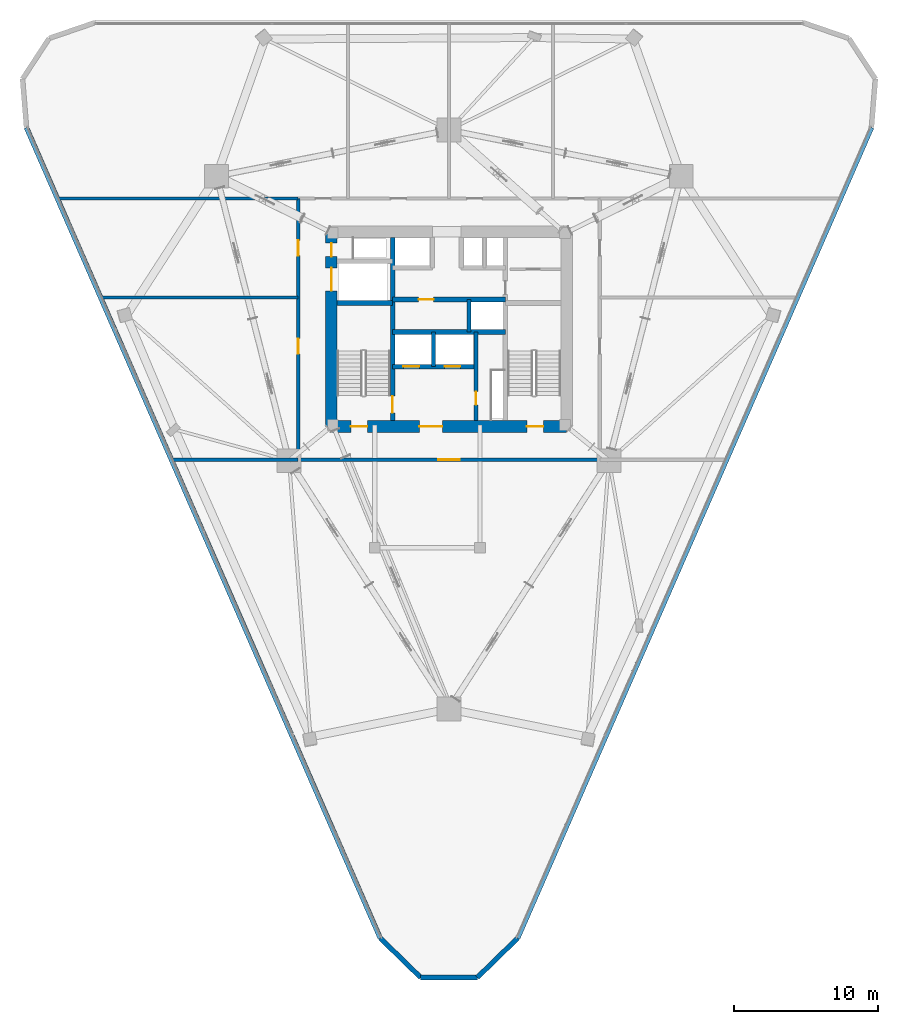
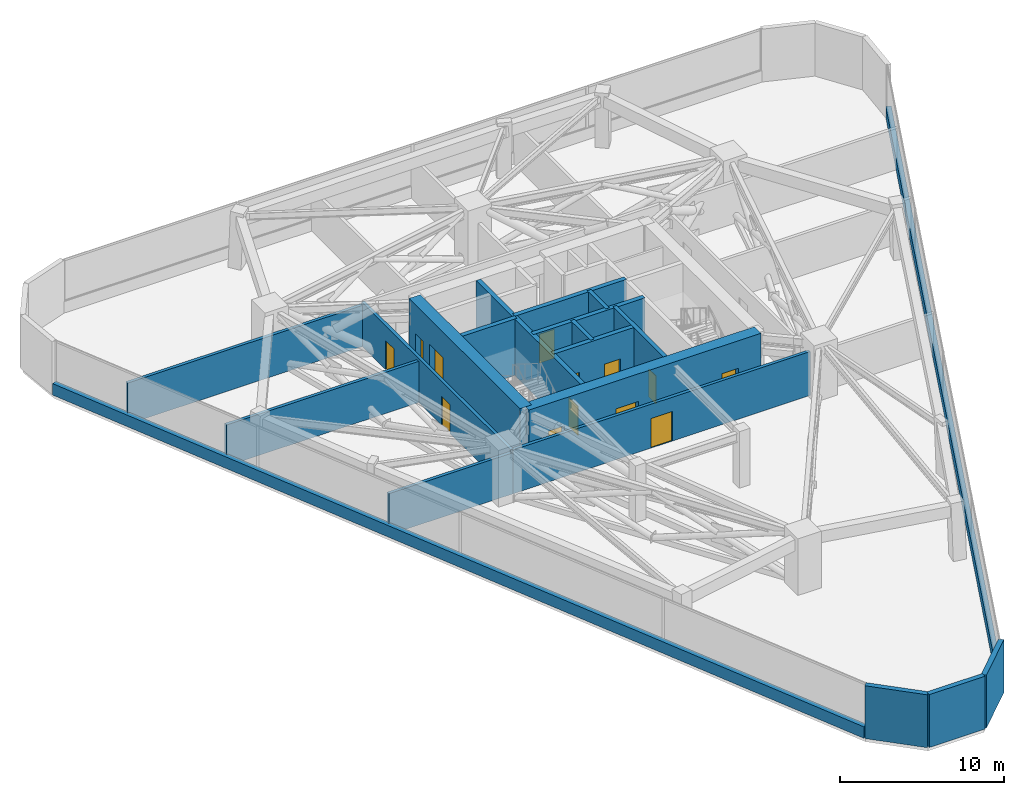
# One storey, part 12 of 14: 20 walls, 13 doors, 13 openings.
"""IFC4 building model written with IfcOpenShell, lengths in metres."""

from ifc_helpers import new_model, si_unit, direction, frame, frame_2d, origin, place, context, subcontext, project, spatial, rectangle, extrude, material, layer, layer_set, type_object, element, fill, save


model = new_model("IFC4")

# Units and contexts
model_context = context("Model", 3, precision=1e-05, world=origin(), true_north=direction((0.0, 1.0)))
body_context = subcontext(model_context, "Body", "Model", "MODEL_VIEW")
ifc_project = project(units=[si_unit("LENGTHUNIT", "METRE"), si_unit("AREAUNIT", "SQUARE_METRE"), si_unit("VOLUMEUNIT", "CUBIC_METRE"), si_unit("PLANEANGLEUNIT", "RADIAN"), si_unit("MASSUNIT", "GRAM", prefix="KILO")], contexts=[model_context])

# Site, building, storey
site_placement = place(None, origin())
site = spatial("IfcSite", under=ifc_project, at=site_placement, CompositionType="ELEMENT")
building_placement = place(site_placement, origin())
building = spatial("IfcBuilding", under=site, at=building_placement, Name="Talyreon Biosciences Tower", CompositionType="ELEMENT")
storey_placement = place(building_placement, frame((0.0, 0.0, 123.0)))
storey = spatial("IfcBuildingStorey", under=building, at=storey_placement, Name="L32", CompositionType="ELEMENT", Elevation=123.0)

# Wall
ifc_material_1 = material(Name="Concrete C50/60", Category="concrete")
ifc_layer_1 = layer(ifc_material_1, 0.280029296875)
ifc_layer_set_1 = layer_set([ifc_layer_1], Name="Concrete C50/60")
wall_type_1 = type_object("IfcWallType", Name="CoreShearWall_280", PredefinedType="SHEAR", material=ifc_layer_set_1)
wall_1_placement = place(storey_placement, frame((64.919921875, 65.39990234375, 0.0), z_axis=(0.0, 0.0, 1.0), x_axis=(0.0, 1.0, 0.0)))
element("IfcWall", 1, at=wall_1_placement, inside=storey, type_object=wall_type_1, Name="L32 Core Shaft Wall SWSHD1", PredefinedType="SHEAR", context=body_context, shape_type="SweptSolid", body=[
    extrude(rectangle(XDim=2.400146484375, YDim=0.280029296875, at=frame_2d((1.2001953125, 0.0))), origin(), (0.0, 0.0, 1.0), 4.199951171875),
])

# Wall, opening, door
wall_2_placement = place(storey_placement, frame((67.8798828125, 61.64990234375, 0.0), z_axis=(0.0, 0.0, 1.0), x_axis=(0.0, 1.0, 0.0)))
wall_2 = element("IfcWall", 2, at=wall_2_placement, inside=storey, type_object=wall_type_1, Name="L32 Core Shaft Wall SWFFE", PredefinedType="SHEAR", context=body_context, shape_type="SweptSolid", body=[
    extrude(rectangle(XDim=6.150146484375, YDim=0.280029296875, at=frame_2d((3.0751953125, 0.0))), origin(), (0.0, 0.0, 1.0), 4.199951171875),
])
opening_1_placement = place(wall_2_placement, frame((1.10009765625, 0.0, 0.0)))
opening_1 = element("IfcOpeningElement", 3, at=opening_1_placement, cuts=wall_2, Name="Opening DR-L32-RSE", PredefinedType="OPENING", context=body_context, shape_type="SweptSolid", body=[
    extrude(rectangle(XDim=0.919921875, YDim=2.050048828125, at=frame_2d((0.4599609375, 1.02490234375))), frame((0.0, 0.14990234375, 0.0), z_axis=(0.0, -1.0, 0.0), x_axis=(1.0, 0.0, 0.0)), (0.0, 0.0, 1.0), 0.300048828125),
])
ifc_material_2 = material(Name="Painted steel fire-rated riser door", Category="steel")
door_type_1 = type_object("IfcDoorType", Name="RiserPlantAccessDoor_920x2050", OperationType="NOTDEFINED", PredefinedType="DOOR", material=ifc_material_2)
door_1_placement = place(opening_1_placement, origin())
door_1 = element("IfcDoor", 4, at=door_1_placement, inside=storey, type_object=door_type_1, Name="L32 Core Door DR-L32-RSE", OperationType="SINGLE_SWING_RIGHT", OverallHeight=2.050048828125, OverallWidth=0.919921875, PredefinedType="DOOR", context=body_context, shape_type="SweptSolid", body=[
    extrude(rectangle(XDim=0.919921875, YDim=2.050048828125, at=frame_2d((0.4599609375, 1.02490234375))), frame((0.0, 0.02490234375, 0.0), z_axis=(0.0, -1.0, 0.0), x_axis=(1.0, 0.0, 0.0)), (0.0, 0.0, 1.0), 0.050048828125),
])
fill(opening_1, door_1)

# Wall
wall_3_placement = place(storey_placement, frame((67.3798828125, 67.800048828125, 0.0), z_axis=(0.0, 0.0, 1.0), x_axis=(0.0, 1.0, 0.0)))
element("IfcWall", 5, at=wall_3_placement, inside=storey, type_object=wall_type_1, Name="L32 Core Shaft Wall SWPMD", PredefinedType="SHEAR", context=body_context, shape_type="SweptSolid", body=[
    extrude(rectangle(XDim=2.25, YDim=0.280029296875, at=frame_2d((1.125, 0.0))), origin(), (0.0, 0.0, 1.0), 4.199951171875),
])

# Wall, opening, door
ifc_layer_2 = layer(ifc_material_1, 0.320068359375)
ifc_layer_set_2 = layer_set([ifc_layer_2], Name="Concrete C50/60")
wall_type_2 = type_object("IfcWallType", Name="CoreShearWall_320", PredefinedType="SHEAR", material=ifc_layer_set_2)
wall_4_placement = place(storey_placement, frame((62.090087890625, 61.64990234375, 0.0), z_axis=(0.0, 0.0, 1.0), x_axis=(0.0, 1.0, 0.0)))
wall_4 = element("IfcWall", 6, at=wall_4_placement, inside=storey, type_object=wall_type_2, Name="L32 Core Shaft Wall SW1E", PredefinedType="SHEAR", context=body_context, shape_type="SweptSolid", body=[
    extrude(rectangle(XDim=12.7001953125, YDim=0.320068359375, at=frame_2d((6.35009765625, 0.0))), origin(), (0.0, 0.0, 1.0), 4.199951171875),
])
opening_2_placement = place(wall_4_placement, frame((0.550048828125, 0.0, 0.0)))
opening_2 = element("IfcOpeningElement", 7, at=opening_2_placement, cuts=wall_4, Name="Opening DR-L32-FF-ST1", PredefinedType="OPENING", context=body_context, shape_type="SweptSolid", body=[
    extrude(rectangle(XDim=1.14990234375, YDim=2.14990234375, at=frame_2d((0.574951171875, 1.074951171875))), frame((0.0, 0.169921875, 0.0), z_axis=(0.0, -1.0, 0.0), x_axis=(1.0, 0.0, 0.0)), (0.0, 0.0, 1.0), 0.340087890625),
])
ifc_material_3 = material(Name="Painted steel fire door", Category="steel")
door_type_2 = type_object("IfcDoorType", Name="StairShaftFireDoor_1150x2150", OperationType="NOTDEFINED", PredefinedType="DOOR", material=ifc_material_3)
door_2_placement = place(opening_2_placement, origin())
door_2 = element("IfcDoor", 8, at=door_2_placement, inside=storey, type_object=door_type_2, Name="L32 Core Door DR-L32-FF-ST1", OperationType="SINGLE_SWING_LEFT", OverallHeight=2.14990234375, OverallWidth=1.14990234375, PredefinedType="DOOR", context=body_context, shape_type="SweptSolid", body=[
    extrude(rectangle(XDim=1.14990234375, YDim=2.14990234375, at=frame_2d((0.574951171875, 1.074951171875))), frame((0.0, 0.02490234375, 0.0), z_axis=(0.0, -1.0, 0.0), x_axis=(1.0, 0.0, 0.0)), (0.0, 0.0, 1.0), 0.050048828125),
])
fill(opening_2, door_2)

# Walls
wall_5_placement = place(storey_placement, frame((58.25, 69.81005859375, 0.0), z_axis=(0.0, 0.0, 1.0), x_axis=(1.0, 0.0, 0.0)))
element("IfcWall", 9, at=wall_5_placement, inside=storey, type_object=wall_type_2, Name="L32 Core Shaft Wall SW1N", PredefinedType="SHEAR", context=body_context, shape_type="SweptSolid", body=[
    extrude(rectangle(XDim=3.840087890625, YDim=0.320068359375, at=frame_2d((1.919921875, 0.0))), origin(), (0.0, 0.0, 1.0), 4.199951171875),
])
wall_6_placement = place(storey_placement, frame((62.090087890625, 67.800048828125, 0.0), z_axis=(0.0, 0.0, 1.0), x_axis=(1.0, 0.0, 0.0)))
element("IfcWall", 10, at=wall_6_placement, inside=storey, type_object=wall_type_2, Name="L32 Core Shaft Wall SWSHM", PredefinedType="SHEAR", context=body_context, shape_type="SweptSolid", body=[
    extrude(rectangle(XDim=7.81982421875, YDim=0.320068359375, at=frame_2d((3.909912109375, 0.0))), origin(), (0.0, 0.0, 1.0), 4.199951171875),
])

# Wall, opening, door
wall_7_placement = place(storey_placement, frame((62.090087890625, 70.050048828125, 0.0), z_axis=(0.0, 0.0, 1.0), x_axis=(1.0, 0.0, 0.0)))
wall_7 = element("IfcWall", 11, at=wall_7_placement, inside=storey, type_object=wall_type_2, Name="L32 Core Shaft Wall SWSPN", PredefinedType="SHEAR", context=body_context, shape_type="SweptSolid", body=[
    extrude(rectangle(XDim=7.81982421875, YDim=0.320068359375, at=frame_2d((3.909912109375, 0.0))), origin(), (0.0, 0.0, 1.0), 4.199951171875),
])
opening_3_placement = place(wall_7_placement, frame((1.800048828125, 0.0, 0.0)))
opening_3 = element("IfcOpeningElement", 12, at=opening_3_placement, cuts=wall_7, Name="Opening DR-L32-PLFREE-A", PredefinedType="OPENING", context=body_context, shape_type="SweptSolid", body=[
    extrude(rectangle(XDim=1.050048828125, YDim=2.14990234375, at=frame_2d((0.52490234375, 1.074951171875))), frame((0.0, 0.169921875, 0.0), z_axis=(0.0, -1.0, 0.0), x_axis=(1.0, 0.0, 0.0)), (0.0, 0.0, 1.0), 0.340087890625),
])
ifc_material_4 = material(Name="Acoustic timber-core laboratory door", Category="wood")
door_type_3 = type_object("IfcDoorType", Name="DryLabSingleDoor_1050x2150", OperationType="NOTDEFINED", PredefinedType="DOOR", material=ifc_material_4)
door_3_placement = place(opening_3_placement, origin())
door_3 = element("IfcDoor", 13, at=door_3_placement, inside=storey, type_object=door_type_3, Name="L32 Core Door DR-L32-PLFREE-A", OperationType="SINGLE_SWING_LEFT", OverallHeight=2.14990234375, OverallWidth=1.050048828125, PredefinedType="DOOR", context=body_context, shape_type="SweptSolid", body=[
    extrude(rectangle(XDim=1.050048828125, YDim=2.14990234375, at=frame_2d((0.52490234375, 1.074951171875))), frame((0.0, 0.02490234375, 0.0), z_axis=(0.0, -1.0, 0.0), x_axis=(1.0, 0.0, 0.0)), (0.0, 0.0, 1.0), 0.050048828125),
])
fill(opening_3, door_3)

# Wall, openings, doors
wall_8_placement = place(storey_placement, frame((62.090087890625, 65.39990234375, 0.0), z_axis=(0.0, 0.0, 1.0), x_axis=(1.0, 0.0, 0.0)))
wall_8 = element("IfcWall", 14, at=wall_8_placement, inside=storey, type_object=wall_type_2, Name="L32 Core Shaft Wall SWFFN", PredefinedType="SHEAR", context=body_context, shape_type="SweptSolid", body=[
    extrude(rectangle(XDim=5.789794921875, YDim=0.320068359375, at=frame_2d((2.89501953125, 0.0))), origin(), (0.0, 0.0, 1.0), 4.199951171875),
])
opening_4_placement = place(wall_8_placement, frame((0.75, 0.0, 0.0)))
opening_4 = element("IfcOpeningElement", 15, at=opening_4_placement, cuts=wall_8, Name="Opening LD-L32-FL1", PredefinedType="OPENING", context=body_context, shape_type="SweptSolid", body=[
    extrude(rectangle(XDim=1.10009765625, YDim=2.199951171875, at=frame_2d((0.550048828125, 1.10009765625))), frame((0.0, 0.169921875, 0.0), z_axis=(0.0, -1.0, 0.0), x_axis=(1.0, 0.0, 0.0)), (0.0, 0.0, 1.0), 0.340087890625),
])
opening_5_placement = place(wall_8_placement, frame((3.60009765625, 0.0, 0.0)))
opening_5 = element("IfcOpeningElement", 16, at=opening_5_placement, cuts=wall_8, Name="Opening LD-L32-FL2", PredefinedType="OPENING", context=body_context, shape_type="SweptSolid", body=[
    extrude(rectangle(XDim=1.10009765625, YDim=2.199951171875, at=frame_2d((0.550048828125, 1.10009765625))), frame((0.0, 0.169921875, 0.0), z_axis=(0.0, -1.0, 0.0), x_axis=(1.0, 0.0, 0.0)), (0.0, 0.0, 1.0), 0.340087890625),
])
ifc_material_5 = material(Name="Brushed stainless-steel lift landing door", Category="steel")
door_type_4 = type_object("IfcDoorType", Name="LiftSlidingLandingDoor_1100x2200", OperationType="SLIDING_TO_LEFT", PredefinedType="DOOR", material=ifc_material_5)
door_4_placement = place(opening_4_placement, origin())
door_4 = element("IfcDoor", 17, at=door_4_placement, inside=storey, type_object=door_type_4, Name="L32 Core Door LD-L32-FL1", OperationType="SLIDING_TO_LEFT", OverallHeight=2.199951171875, OverallWidth=1.10009765625, PredefinedType="DOOR", context=body_context, shape_type="SweptSolid", body=[
    extrude(rectangle(XDim=1.10009765625, YDim=2.199951171875, at=frame_2d((0.550048828125, 1.10009765625))), frame((0.0, 0.02490234375, 0.0), z_axis=(0.0, -1.0, 0.0), x_axis=(1.0, 0.0, 0.0)), (0.0, 0.0, 1.0), 0.050048828125),
])
fill(opening_4, door_4)
door_5_placement = place(opening_5_placement, origin())
door_5 = element("IfcDoor", 18, at=door_5_placement, inside=storey, type_object=door_type_4, Name="L32 Core Door LD-L32-FL2", OperationType="SLIDING_TO_LEFT", OverallHeight=2.199951171875, OverallWidth=1.10009765625, PredefinedType="DOOR", context=body_context, shape_type="SweptSolid", body=[
    extrude(rectangle(XDim=1.10009765625, YDim=2.199951171875, at=frame_2d((0.550048828125, 1.10009765625))), frame((0.0, 0.02490234375, 0.0), z_axis=(0.0, -1.0, 0.0), x_axis=(1.0, 0.0, 0.0)), (0.0, 0.0, 1.0), 0.050048828125),
])
fill(opening_5, door_5)

ifc_material_6 = material(Name="Concrete C60/75", Category="concrete")
ifc_layer_3 = layer(ifc_material_6, 0.800048828125)
ifc_layer_set_3 = layer_set([ifc_layer_3], Name="Concrete C60/75")
wall_type_3 = type_object("IfcWallType", Name="CoreShearWall_800", PredefinedType="SHEAR", material=ifc_layer_set_3)
wall_9_placement = place(storey_placement, frame((57.85009765625, 61.25, 0.0), z_axis=(0.0, 0.0, 1.0), x_axis=(1.0, 0.0, 0.0)))
wall_9 = element("IfcWall", 19, at=wall_9_placement, inside=storey, type_object=wall_type_3, Name="L32 Core Shear Wall S", PredefinedType="SHEAR", context=body_context, shape_type="SweptSolid", body=[
    extrude(rectangle(XDim=16.2998046875, YDim=0.800048828125, at=frame_2d((8.14990234375, 0.0))), origin(), (0.0, 0.0, 1.0), 4.199951171875),
])
opening_6_placement = place(wall_9_placement, frame((1.35009765625, 0.0, 0.0)))
opening_6 = element("IfcOpeningElement", 20, at=opening_6_placement, cuts=wall_9, Name="Opening DR-L32-ST1", PredefinedType="OPENING", context=body_context, shape_type="SweptSolid", body=[
    extrude(rectangle(XDim=1.14990234375, YDim=2.14990234375, at=frame_2d((0.574951171875, 1.074951171875))), frame((0.0, 0.409912109375, 0.0), z_axis=(0.0, -1.0, 0.0), x_axis=(1.0, 0.0, 0.0)), (0.0, 0.0, 1.0), 0.820068359375),
])
opening_7_placement = place(wall_9_placement, frame((6.10009765625, 0.0, 0.0)))
opening_7 = element("IfcOpeningElement", 21, at=opening_7_placement, cuts=wall_9, Name="Opening DR-L32-FFL", PredefinedType="OPENING", context=body_context, shape_type="SweptSolid", body=[
    extrude(rectangle(XDim=1.60009765625, YDim=2.14990234375, at=frame_2d((0.800048828125, 1.074951171875))), frame((0.0, 0.409912109375, 0.0), z_axis=(0.0, -1.0, 0.0), x_axis=(1.0, 0.0, 0.0)), (0.0, 0.0, 1.0), 0.820068359375),
])
opening_8_placement = place(wall_9_placement, frame((13.550048828125, 0.0, 0.0)))
opening_8 = element("IfcOpeningElement", 22, at=opening_8_placement, cuts=wall_9, Name="Opening DR-L32-ST2", PredefinedType="OPENING", context=body_context, shape_type="SweptSolid", body=[
    extrude(rectangle(XDim=1.14990234375, YDim=2.14990234375, at=frame_2d((0.574951171875, 1.074951171875))), frame((0.0, 0.409912109375, 0.0), z_axis=(0.0, -1.0, 0.0), x_axis=(1.0, 0.0, 0.0)), (0.0, 0.0, 1.0), 0.820068359375),
])
ifc_material_7 = material(Name="Painted steel smoke-seal fire door", Category="steel")
door_type_5 = type_object("IfcDoorType", Name="FirefightingLobbyDoubleDoor_1600x2150", OperationType="DOUBLE_DOOR_SINGLE_SWING", PredefinedType="DOOR", material=ifc_material_7)
door_6_placement = place(opening_7_placement, origin())
door_6 = element("IfcDoor", 23, at=door_6_placement, inside=storey, type_object=door_type_5, Name="L32 Core Door DR-L32-FFL", OperationType="DOUBLE_DOOR_SINGLE_SWING", OverallHeight=2.14990234375, OverallWidth=1.60009765625, PredefinedType="DOOR", context=body_context, shape_type="SweptSolid", body=[
    extrude(rectangle(XDim=1.60009765625, YDim=2.14990234375, at=frame_2d((0.800048828125, 1.074951171875))), frame((0.0, 0.02490234375, 0.0), z_axis=(0.0, -1.0, 0.0), x_axis=(1.0, 0.0, 0.0)), (0.0, 0.0, 1.0), 0.050048828125),
])
fill(opening_7, door_6)
door_7_placement = place(opening_6_placement, origin())
door_7 = element("IfcDoor", 24, at=door_7_placement, inside=storey, type_object=door_type_2, Name="L32 Core Door DR-L32-ST1", OperationType="SINGLE_SWING_LEFT", OverallHeight=2.14990234375, OverallWidth=1.14990234375, PredefinedType="DOOR", context=body_context, shape_type="SweptSolid", body=[
    extrude(rectangle(XDim=1.14990234375, YDim=2.14990234375, at=frame_2d((0.574951171875, 1.074951171875))), frame((0.0, 0.02490234375, 0.0), z_axis=(0.0, -1.0, 0.0), x_axis=(1.0, 0.0, 0.0)), (0.0, 0.0, 1.0), 0.050048828125),
])
fill(opening_6, door_7)
door_8_placement = place(opening_8_placement, origin())
door_8 = element("IfcDoor", 25, at=door_8_placement, inside=storey, type_object=door_type_2, Name="L32 Core Door DR-L32-ST2", OperationType="SINGLE_SWING_RIGHT", OverallHeight=2.14990234375, OverallWidth=1.14990234375, PredefinedType="DOOR", context=body_context, shape_type="SweptSolid", body=[
    extrude(rectangle(XDim=1.14990234375, YDim=2.14990234375, at=frame_2d((0.574951171875, 1.074951171875))), frame((0.0, 0.02490234375, 0.0), z_axis=(0.0, -1.0, 0.0), x_axis=(1.0, 0.0, 0.0)), (0.0, 0.0, 1.0), 0.050048828125),
])
fill(opening_8, door_8)

wall_10_placement = place(storey_placement, frame((57.85009765625, 74.75, 0.0), z_axis=(0.0, 0.0, 1.0), x_axis=(0.0, -1.0, 0.0)))
wall_10 = element("IfcWall", 26, at=wall_10_placement, inside=storey, type_object=wall_type_3, Name="L32 Core Shear Wall W", PredefinedType="SHEAR", context=body_context, shape_type="SweptSolid", body=[
    extrude(rectangle(XDim=13.5, YDim=0.800048828125, at=frame_2d((6.75, 0.0))), origin(), (0.0, 0.0, 1.0), 4.199951171875),
])
opening_9_placement = place(wall_10_placement, frame((0.800048828125, 0.0, 0.0)))
opening_9 = element("IfcOpeningElement", 27, at=opening_9_placement, cuts=wall_10, Name="Opening DR-L32-RSW", PredefinedType="OPENING", context=body_context, shape_type="SweptSolid", body=[
    extrude(rectangle(XDim=0.919921875, YDim=2.050048828125, at=frame_2d((0.4599609375, 1.02490234375))), frame((0.0, 0.409912109375, 0.0), z_axis=(0.0, -1.0, 0.0), x_axis=(1.0, 0.0, 0.0)), (0.0, 0.0, 1.0), 0.820068359375),
])
opening_10_placement = place(wall_10_placement, frame((2.5, 0.0, 0.0)))
opening_10 = element("IfcOpeningElement", 28, at=opening_10_placement, cuts=wall_10, Name="Opening LD-L32-GL1", PredefinedType="OPENING", context=body_context, shape_type="SweptSolid", body=[
    extrude(rectangle(XDim=1.60009765625, YDim=2.300048828125, at=frame_2d((0.800048828125, 1.14990234375))), frame((0.0, 0.409912109375, 0.0), z_axis=(0.0, -1.0, 0.0), x_axis=(1.0, 0.0, 0.0)), (0.0, 0.0, 1.0), 0.820068359375),
])
ifc_material_8 = material(Name="Heavy-duty stainless-steel goods lift door", Category="steel")
door_type_6 = type_object("IfcDoorType", Name="GoodsLiftSlidingDoor_1600x2300", OperationType="DOUBLE_DOOR_SLIDING", PredefinedType="DOOR", material=ifc_material_8)
door_9_placement = place(opening_10_placement, origin())
door_9 = element("IfcDoor", 29, at=door_9_placement, inside=storey, type_object=door_type_6, Name="L32 Core Door LD-L32-GL1", OperationType="DOUBLE_DOOR_SLIDING", OverallHeight=2.300048828125, OverallWidth=1.60009765625, PredefinedType="DOOR", context=body_context, shape_type="SweptSolid", body=[
    extrude(rectangle(XDim=1.60009765625, YDim=2.300048828125, at=frame_2d((0.800048828125, 1.14990234375))), frame((0.0, 0.02490234375, 0.0), z_axis=(0.0, -1.0, 0.0), x_axis=(1.0, 0.0, 0.0)), (0.0, 0.0, 1.0), 0.050048828125),
])
fill(opening_10, door_9)
door_10_placement = place(opening_9_placement, origin())
door_10 = element("IfcDoor", 30, at=door_10_placement, inside=storey, type_object=door_type_1, Name="L32 Core Door DR-L32-RSW", OperationType="SINGLE_SWING_LEFT", OverallHeight=2.050048828125, OverallWidth=0.919921875, PredefinedType="DOOR", context=body_context, shape_type="SweptSolid", body=[
    extrude(rectangle(XDim=0.919921875, YDim=2.050048828125, at=frame_2d((0.4599609375, 1.02490234375))), frame((0.0, 0.02490234375, 0.0), z_axis=(0.0, -1.0, 0.0), x_axis=(1.0, 0.0, 0.0)), (0.0, 0.0, 1.0), 0.050048828125),
])
fill(opening_9, door_10)

# Walls
ifc_material_9 = material(Name="Gypsum fireboard acoustic stud", Category="gypsum")
ifc_layer_4 = layer(ifc_material_9, 0.219970703125)
ifc_layer_set_4 = layer_set([ifc_layer_4], Name="Gypsum fireboard acoustic stud")
wall_type_4 = type_object("IfcWallType", Name="CorridorRatedPartition_220", PredefinedType="PARTITIONING", material=ifc_layer_set_4)
wall_11_placement = place(storey_placement, frame((38.952880859375, 77.050048828125, 0.0), z_axis=(0.0, 0.0, 1.0), x_axis=(1.0, 0.0, 0.0)))
element("IfcWall", 31, at=wall_11_placement, inside=storey, type_object=wall_type_4, Name="L32 Interior Wall IW-L32-NDIV-NW", PredefinedType="PARTITIONING", context=body_context, shape_type="SweptSolid", body=[
    extrude(rectangle(XDim=16.59716796875, YDim=0.219970703125, at=frame_2d((8.298583984375, 0.0))), origin(), (0.0, 0.0, 1.0), 3.054931640625),
])
wall_12_placement = place(storey_placement, frame((41.94287109375, 70.199951171875, 0.0), z_axis=(0.0, 0.0, 1.0), x_axis=(1.0, 0.0, 0.0)))
element("IfcWall", 32, at=wall_12_placement, inside=storey, type_object=wall_type_4, Name="L32 Interior Wall IW-L32-WD1", PredefinedType="PARTITIONING", context=body_context, shape_type="SweptSolid", body=[
    extrude(rectangle(XDim=13.607177734375, YDim=0.219970703125, at=frame_2d((6.8037109375, 0.0))), origin(), (0.0, 0.0, 1.0), 3.054931640625),
])
wall_13_placement = place(storey_placement, frame((46.853515625, 58.949951171875, 0.0), z_axis=(0.0, 0.0, 1.0), x_axis=(1.0, 0.0, 0.0)))
element("IfcWall", 33, at=wall_13_placement, inside=storey, type_object=wall_type_4, Name="L32 Interior Wall IW-L32-PDIV-SW", PredefinedType="PARTITIONING", context=body_context, shape_type="SweptSolid", body=[
    extrude(rectangle(XDim=8.696533203125, YDim=0.219970703125, at=frame_2d((4.34814453125, 0.0))), origin(), (0.0, 0.0, 1.0), 3.054931640625),
])

# Wall, opening, door
wall_14_placement = place(storey_placement, frame((55.550048828125, 58.949951171875, 0.0), z_axis=(0.0, 0.0, 1.0), x_axis=(1.0, 0.0, 0.0)))
wall_14 = element("IfcWall", 34, at=wall_14_placement, inside=storey, type_object=wall_type_4, Name="L32 Interior Wall IW-L32-PC-S", PredefinedType="PARTITIONING", context=body_context, shape_type="SweptSolid", body=[
    extrude(rectangle(XDim=20.89990234375, YDim=0.219970703125, at=frame_2d((10.449951171875, 0.0))), origin(), (0.0, 0.0, 1.0), 3.2548828125),
])
opening_11_placement = place(wall_14_placement, frame((9.699951171875, 0.0, 0.0)))
opening_11 = element("IfcOpeningElement", 35, at=opening_11_placement, cuts=wall_14, Name="Opening DR-L32-PL-S", PredefinedType="OPENING", context=body_context, shape_type="SweptSolid", body=[
    extrude(rectangle(XDim=1.5, YDim=2.199951171875, at=frame_2d((0.75, 1.10009765625))), frame((0.0, 0.119873046875, 0.0), z_axis=(0.0, -1.0, 0.0), x_axis=(1.0, 0.0, 0.0)), (0.0, 0.0, 1.0), 0.239990234375),
])
ifc_material_10 = material(Name="Vision-panel steel laboratory fire door", Category="steel")
door_type_7 = type_object("IfcDoorType", Name="WetLabDoubleLeafDoor_1500x2200", OperationType="DOUBLE_DOOR_SINGLE_SWING", PredefinedType="DOOR", material=ifc_material_10)
door_11_placement = place(opening_11_placement, origin())
door_11 = element("IfcDoor", 36, at=door_11_placement, inside=storey, type_object=door_type_7, Name="L32 Interior Door DR-L32-PL-S", OperationType="DOUBLE_DOOR_SINGLE_SWING", OverallHeight=2.199951171875, OverallWidth=1.5, PredefinedType="DOOR", context=body_context, shape_type="SweptSolid", body=[
    extrude(rectangle(XDim=1.5, YDim=2.199951171875, at=frame_2d((0.75, 1.10009765625))), frame((0.0, 0.02490234375, 0.0), z_axis=(0.0, -1.0, 0.0), x_axis=(1.0, 0.0, 0.0)), (0.0, 0.0, 1.0), 0.050048828125),
])
fill(opening_11, door_11)

# Wall, openings, doors
wall_15_placement = place(storey_placement, frame((55.550048828125, 58.949951171875, 0.0), z_axis=(0.0, 0.0, 1.0), x_axis=(0.0, 1.0, 0.0)))
wall_15 = element("IfcWall", 37, at=wall_15_placement, inside=storey, type_object=wall_type_4, Name="L32 Interior Wall IW-L32-PC-W", PredefinedType="PARTITIONING", context=body_context, shape_type="SweptSolid", body=[
    extrude(rectangle(XDim=18.10009765625, YDim=0.219970703125, at=frame_2d((9.050048828125, 0.0))), origin(), (0.0, 0.0, 1.0), 3.2548828125),
])
opening_12_placement = place(wall_15_placement, frame((7.340087890625, 0.0, 0.0)))
opening_12 = element("IfcOpeningElement", 38, at=opening_12_placement, cuts=wall_15, Name="Opening DR-L32-PL-WB", PredefinedType="OPENING", context=body_context, shape_type="SweptSolid", body=[
    extrude(rectangle(XDim=1.050048828125, YDim=2.14990234375, at=frame_2d((0.52490234375, 1.074951171875))), frame((0.0, 0.119873046875, 0.0), z_axis=(0.0, -1.0, 0.0), x_axis=(1.0, 0.0, 0.0)), (0.0, 0.0, 1.0), 0.239990234375),
])
opening_13_placement = place(wall_15_placement, frame((14.14990234375, 0.0, 0.0)))
opening_13 = element("IfcOpeningElement", 39, at=opening_13_placement, cuts=wall_15, Name="Opening DR-L32-PL-WA", PredefinedType="OPENING", context=body_context, shape_type="SweptSolid", body=[
    extrude(rectangle(XDim=1.050048828125, YDim=2.14990234375, at=frame_2d((0.52490234375, 1.074951171875))), frame((0.0, 0.119873046875, 0.0), z_axis=(0.0, -1.0, 0.0), x_axis=(1.0, 0.0, 0.0)), (0.0, 0.0, 1.0), 0.239990234375),
])
door_12_placement = place(opening_12_placement, origin())
door_12 = element("IfcDoor", 40, at=door_12_placement, inside=storey, type_object=door_type_3, Name="L32 Interior Door DR-L32-PL-WB", OperationType="SINGLE_SWING_RIGHT", OverallHeight=2.14990234375, OverallWidth=1.050048828125, PredefinedType="DOOR", context=body_context, shape_type="SweptSolid", body=[
    extrude(rectangle(XDim=1.050048828125, YDim=2.14990234375, at=frame_2d((0.52490234375, 1.074951171875))), frame((0.0, 0.02490234375, 0.0), z_axis=(0.0, -1.0, 0.0), x_axis=(1.0, 0.0, 0.0)), (0.0, 0.0, 1.0), 0.050048828125),
])
fill(opening_12, door_12)
door_13_placement = place(opening_13_placement, origin())
door_13 = element("IfcDoor", 41, at=door_13_placement, inside=storey, type_object=door_type_3, Name="L32 Interior Door DR-L32-PL-WA", OperationType="SINGLE_SWING_RIGHT", OverallHeight=2.14990234375, OverallWidth=1.050048828125, PredefinedType="DOOR", context=body_context, shape_type="SweptSolid", body=[
    extrude(rectangle(XDim=1.050048828125, YDim=2.14990234375, at=frame_2d((0.52490234375, 1.074951171875))), frame((0.0, 0.02490234375, 0.0), z_axis=(0.0, -1.0, 0.0), x_axis=(1.0, 0.0, 0.0)), (0.0, 0.0, 1.0), 0.050048828125),
])
fill(opening_13, door_13)

# Walls
ifc_material_11 = material(Name="Precast concrete C45/55", Category="concrete")
ifc_layer_5 = layer(ifc_material_11, 0.340087890625)
ifc_layer_set_5 = layer_set([ifc_layer_5], Name="Precast concrete C45/55")
wall_type_5 = type_object("IfcWallType", Name="PrecastConcreteSpandrelWall_340", PredefinedType="STANDARD", material=ifc_layer_set_5)
for number, where, z_axis, x_axis, name in (
    (42, (61.234375, 25.79296875, 0.0), (0.0, 0.0, 1.0), (-0.400059849946, 0.916489016007, 0.0), "L32 Expressed Concrete Sill Wall 00"),
    (43, (95.288818359375, 81.97265625, 0.0), (0.0, 0.0, 1.0), (-0.400059849946, -0.916489016007, 0.0), "L32 Expressed Concrete Sill Wall 08"),
):
    element("IfcWall", number, at=place(storey_placement, frame(where, z_axis=z_axis, x_axis=x_axis)), inside=storey, type_object=wall_type_5, Name=name, PredefinedType="STANDARD", context=body_context, shape_type="SweptSolid", body=[
        extrude(rectangle(XDim=61.298828125, YDim=0.340087890625, at=frame_2d((30.6494140625, 0.0))), origin(), (0.0, 0.0, 1.0), 0.85009765625),
    ])
wall_16_placement = place(storey_placement, frame((70.765625, 25.79296875, 0.0), z_axis=(0.0, 0.0, 1.0), x_axis=(-0.715927743937, -0.69817438041, 0.0)))
element("IfcWall", 44, at=wall_16_placement, inside=storey, type_object=wall_type_5, Name="L32 Rounded-Corner Concrete Pier 09", PredefinedType="STANDARD", context=body_context, shape_type="SweptSolid", body=[
    extrude(rectangle(XDim=3.919189453125, YDim=0.340087890625, at=frame_2d((1.95947265625, 0.0))), origin(), (0.0, 0.0, 1.0), 3.925048828125),
])
wall_17_placement = place(storey_placement, frame((67.959716796875, 23.056640625, 0.0), z_axis=(0.0, 0.0, 1.0), x_axis=(-1.0, 0.0, 0.0)))
element("IfcWall", 45, at=wall_17_placement, inside=storey, type_object=wall_type_5, Name="L32 Rounded-Corner Concrete Pier 10", PredefinedType="STANDARD", context=body_context, shape_type="SweptSolid", body=[
    extrude(rectangle(XDim=3.91943359375, YDim=0.340087890625, at=frame_2d((1.959716796875, 0.0))), origin(), (0.0, 0.0, 1.0), 3.925048828125),
])
wall_18_placement = place(storey_placement, frame((64.040283203125, 23.056640625, 0.0), z_axis=(0.0, 0.0, 1.0), x_axis=(-0.715927743937, 0.69817438041, 0.0)))
element("IfcWall", 46, at=wall_18_placement, inside=storey, type_object=wall_type_5, Name="L32 Rounded-Corner Concrete Pier 11", PredefinedType="STANDARD", context=body_context, shape_type="SweptSolid", body=[
    extrude(rectangle(XDim=3.919189453125, YDim=0.340087890625, at=frame_2d((1.95947265625, 0.0))), origin(), (0.0, 0.0, 1.0), 3.925048828125),
])

save(model, "model.ifc")
